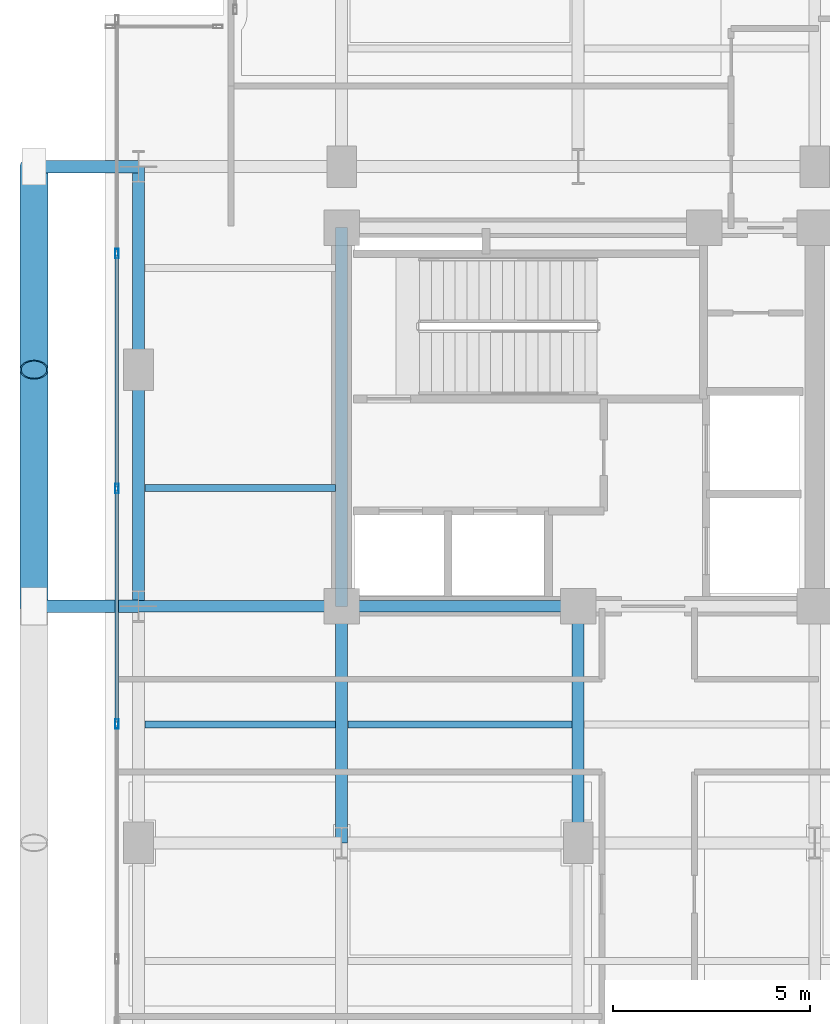
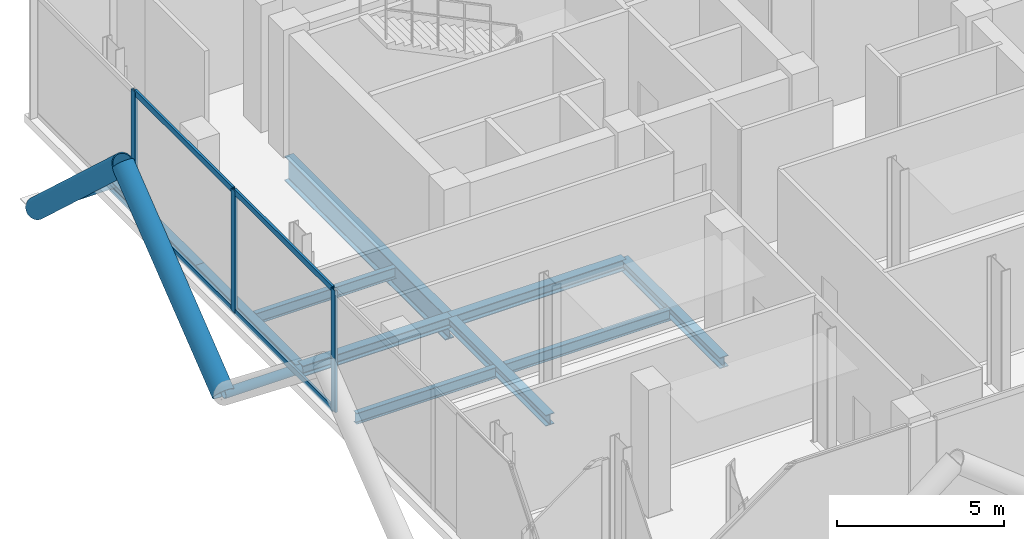
# One storey, part 5 of 19: 11 members, 10 beams, 1 element without a shape of its own.
"""IFC4 building model written with IfcOpenShell, lengths in metres."""

from ifc_helpers import new_model, si_unit, direction, frame, origin, origin_2d, place, context, subcontext, project, spatial, hollow_rectangle, hollow_circle, i_section, extrude, material, layer, layer_set, material_profile, profile_set, type_object, element, aggregate, save


model = new_model("IFC4")

# Units and contexts
model_context = context("Model", 3, precision=1e-05, world=origin(), true_north=direction((0.0, 1.0)))
body_context = subcontext(model_context, "Body", "Model", "MODEL_VIEW")
ifc_project = project(units=[si_unit("LENGTHUNIT", "METRE"), si_unit("AREAUNIT", "SQUARE_METRE"), si_unit("VOLUMEUNIT", "CUBIC_METRE"), si_unit("PLANEANGLEUNIT", "RADIAN"), si_unit("MASSUNIT", "GRAM", prefix="KILO"), si_unit("THERMODYNAMICTEMPERATUREUNIT", "KELVIN"), si_unit("POWERUNIT", "WATT")], contexts=[model_context])

# Site, building, storey
site_placement = place(None, origin())
site = spatial("IfcSite", under=ifc_project, at=site_placement, CompositionType="ELEMENT")
building_placement = place(site_placement, origin())
building = spatial("IfcBuilding", under=site, at=building_placement, Name="Svarakhadi Broadcast Tower", CompositionType="ELEMENT")
storey_placement = place(building_placement, frame((0.0, 0.0, 204.0)))
storey = spatial("IfcBuildingStorey", under=building, at=storey_placement, Name="L50", CompositionType="ELEMENT", Elevation=204.0)

# Beams
ifc_material_1 = material(Name="Steel S355J2 (IS 2062 E350C)", Category="steel")
ifc_material_profile_1 = material_profile(ifc_material_1, i_section(OverallWidth=0.179931640625, OverallDepth=0.39990234375, WebThickness=0.008544921875, FlangeThickness=0.013427734375, FilletRadius=0.02099609375, at=origin_2d()), Name="NPB 400x180x66")
ifc_profile_set_1 = profile_set([ifc_material_profile_1], Name="Steel S355J2 (IS 2062 E350C)")
beam_type_1 = type_object("IfcBeamType", Name="Beam_NPB400", PredefinedType="BEAM", material=ifc_profile_set_1)
for number, where, z_axis, x_axis, name in (
    (1, (1.010009765625, 15.0, -0.5), (1.0, 0.0, 0.0), (0.0, 1.0, 0.0), "L50 Secondary Composite Beam SB002"),
    (2, (1.010009765625, 21.0, -0.5), (1.0, 0.0, 0.0), (0.0, 1.0, 0.0), "L50 Secondary Composite Beam SB003"),
):
    element("IfcBeam", number, at=place(storey_placement, frame(where, z_axis=z_axis, x_axis=x_axis)), inside=storey, type_object=beam_type_1, Name=name, PredefinedType="BEAM", context=body_context, shape_type="SweptSolid", body=[
        extrude(i_section(OverallWidth=0.179931640625, OverallDepth=0.39990234375, WebThickness=0.008544921875, FlangeThickness=0.013427734375, FilletRadius=0.02099609375, at=origin_2d()), origin(), (0.0, 0.0, 1.0), 4.830078125),
    ])
beam_1_placement = place(storey_placement, frame((6.159912109375, 15.0, -0.5), z_axis=(1.0, 0.0, 0.0), x_axis=(0.0, 1.0, 0.0)))
element("IfcBeam", 3, at=beam_1_placement, inside=storey, type_object=beam_type_1, Name="L50 Secondary Composite Beam SB007", PredefinedType="BEAM", context=body_context, shape_type="SweptSolid", body=[
    extrude(i_section(OverallWidth=0.179931640625, OverallDepth=0.39990234375, WebThickness=0.008544921875, FlangeThickness=0.013427734375, FilletRadius=0.02099609375, at=origin_2d()), origin(), (0.0, 0.0, 1.0), 5.68017578125),
])

# Curtain wall, members
ifc_material_2 = material(Name="Anodised Bronze Aluminium AA 6063-T6", Category="aluminium")
ifc_layer = layer(ifc_material_2, 0.239990234375)
ifc_layer_set = layer_set([ifc_layer], Name="Anodised Bronze Aluminium AA 6063-T6")
curtain_wall_type = type_object("IfcCurtainWallType", Name="CW_Sys_06", PredefinedType="NOTDEFINED", material=ifc_layer_set)
curtain_wall_placement = place(storey_placement, origin())
curtain_wall = element("IfcCurtainWall", 4, at=curtain_wall_placement, inside=storey, type_object=curtain_wall_type, Name="L50 Unitised Facade Curtain Wall 02", PredefinedType="NOTDEFINED")
ifc_material_profile_2 = material_profile(ifc_material_2, hollow_rectangle(XDim=0.090087890625, YDim=0.239990234375, WallThickness=0.006103515625, at=origin_2d()), Name="ALU MULLION 240x90x6")
ifc_profile_set_2 = profile_set([ifc_material_profile_2], Name="Anodised Bronze Aluminium AA 6063-T6")
member_type_1 = type_object("IfcMemberType", Name="CW_Sys_06_Mul", PredefinedType="MULLION", material=ifc_profile_set_2)
member_1_placement = place(storey_placement, frame((0.300048828125, 15.01806640625, 0.0), z_axis=(0.0, 0.0, 1.0), x_axis=(-1.0, 0.0, 0.0)))
member_1 = element("IfcMember", 5, at=member_1_placement, type_object=member_type_1, Name="CW-06 mullion 3", PredefinedType="MULLION", context=body_context, shape_type="SweptSolid", body=[
    extrude(hollow_rectangle(XDim=0.090087890625, YDim=0.239990234375, WallThickness=0.006103515625, at=origin_2d()), origin(), (0.0, 0.0, 1.0), 4.43994140625),
])
member_2_placement = place(storey_placement, frame((0.300048828125, 20.98193359375, 0.0), z_axis=(0.0, 0.0, 1.0), x_axis=(-1.0, 0.0, 0.0)))
member_2 = element("IfcMember", 6, at=member_2_placement, type_object=member_type_1, Name="CW-06 mullion 4", PredefinedType="MULLION", context=body_context, shape_type="SweptSolid", body=[
    extrude(hollow_rectangle(XDim=0.090087890625, YDim=0.239990234375, WallThickness=0.006103515625, at=origin_2d()), origin(), (0.0, 0.0, 1.0), 4.43994140625),
])
member_3_placement = place(storey_placement, frame((0.300048828125, 26.946044921875, 0.0), z_axis=(0.0, 0.0, 1.0), x_axis=(-1.0, 0.0, 0.0)))
member_3 = element("IfcMember", 7, at=member_3_placement, type_object=member_type_1, Name="CW-06 mullion 5", PredefinedType="MULLION", context=body_context, shape_type="SweptSolid", body=[
    extrude(hollow_rectangle(XDim=0.090087890625, YDim=0.239990234375, WallThickness=0.006103515625, at=origin_2d()), origin(), (0.0, 0.0, 1.0), 4.43994140625),
])
ifc_material_profile_3 = material_profile(ifc_material_2, hollow_rectangle(XDim=0.080078125, YDim=0.2099609375, WallThickness=0.0048828125, at=origin_2d()), Name="ALU TRANSOM 210x80x5")
ifc_profile_set_3 = profile_set([ifc_material_profile_3], Name="Anodised Bronze Aluminium AA 6063-T6")
member_type_2 = type_object("IfcMemberType", Name="CW_Sys_06_Trn", PredefinedType="USERDEFINED", material=ifc_profile_set_3)
member_4_placement = place(storey_placement, frame((0.300048828125, 15.06298828125, 0.0400390625), z_axis=(0.0, 1.0, 0.0), x_axis=(-1.0, 0.0, 0.0)))
member_4 = element("IfcMember", 8, at=member_4_placement, type_object=member_type_2, Name="CW-06 transom 3.1", ObjectType="TRANSOM", PredefinedType="USERDEFINED", context=body_context, shape_type="SweptSolid", body=[
    extrude(hollow_rectangle(XDim=0.080078125, YDim=0.2099609375, WallThickness=0.0048828125, at=origin_2d()), origin(), (0.0, 0.0, 1.0), 5.8740234375),
])
member_5_placement = place(storey_placement, frame((0.300048828125, 15.06298828125, 4.39990234375), z_axis=(0.0, 1.0, 0.0), x_axis=(-1.0, 0.0, 0.0)))
member_5 = element("IfcMember", 9, at=member_5_placement, type_object=member_type_2, Name="CW-06 transom 3.2", ObjectType="TRANSOM", PredefinedType="USERDEFINED", context=body_context, shape_type="SweptSolid", body=[
    extrude(hollow_rectangle(XDim=0.080078125, YDim=0.2099609375, WallThickness=0.0048828125, at=origin_2d()), origin(), (0.0, 0.0, 1.0), 5.8740234375),
])
member_6_placement = place(storey_placement, frame((0.300048828125, 21.027099609375, 0.0400390625), z_axis=(0.0, 1.0, 0.0), x_axis=(-1.0, 0.0, 0.0)))
member_6 = element("IfcMember", 10, at=member_6_placement, type_object=member_type_2, Name="CW-06 transom 4.1", ObjectType="TRANSOM", PredefinedType="USERDEFINED", context=body_context, shape_type="SweptSolid", body=[
    extrude(hollow_rectangle(XDim=0.080078125, YDim=0.2099609375, WallThickness=0.0048828125, at=origin_2d()), origin(), (0.0, 0.0, 1.0), 5.873779296875),
])
member_7_placement = place(storey_placement, frame((0.300048828125, 21.027099609375, 4.39990234375), z_axis=(0.0, 1.0, 0.0), x_axis=(-1.0, 0.0, 0.0)))
member_7 = element("IfcMember", 11, at=member_7_placement, type_object=member_type_2, Name="CW-06 transom 4.2", ObjectType="TRANSOM", PredefinedType="USERDEFINED", context=body_context, shape_type="SweptSolid", body=[
    extrude(hollow_rectangle(XDim=0.080078125, YDim=0.2099609375, WallThickness=0.0048828125, at=origin_2d()), origin(), (0.0, 0.0, 1.0), 5.873779296875),
])
aggregate(curtain_wall, [member_1, member_2, member_3, member_4, member_5, member_6, member_7])

# Members
ifc_material_3 = material(Name="Steel S460ML (IS 2062 E450BR)", Category="steel")
ifc_material_profile_4 = material_profile(ifc_material_3, hollow_circle(Radius=0.35546875, WallThickness=0.034912109375, at=origin_2d()), Name="CHS 711x35")
ifc_profile_set_4 = profile_set([ifc_material_profile_4], Name="Steel S460ML (IS 2062 E450BR)")
member_type_3 = type_object("IfcMemberType", Name="Exo_Brace_CHS711", PredefinedType="BRACE", material=ifc_profile_set_4)
member_8_placement = place(storey_placement, frame((-1.800048828125, 18.0, -0.4619140625), z_axis=(0.0, 0.784682488402, 0.619897888685), x_axis=(-1.0, 0.0, 0.0)))
element("IfcMember", 12, at=member_8_placement, inside=storey, type_object=member_type_3, Name="L50 Exposed Bronze Exoskeleton Diagonal W08", PredefinedType="BRACE", context=body_context, shape_type="SweptSolid", body=[
    extrude(hollow_circle(Radius=0.35546875, WallThickness=0.034912109375, at=origin_2d()), origin(), (0.0, 0.0, 1.0), 7.646484375),
])
member_9_placement = place(storey_placement, frame((-1.800048828125, 29.14990234375, -0.4619140625), z_axis=(0.0, -0.73578291553, 0.677217469661), x_axis=(1.0, 0.0, 0.0)))
element("IfcMember", 13, at=member_9_placement, inside=storey, type_object=member_type_3, Name="L50 Exposed Bronze Exoskeleton Diagonal W09", PredefinedType="BRACE", context=body_context, shape_type="SweptSolid", body=[
    extrude(hollow_circle(Radius=0.35546875, WallThickness=0.034912109375, at=origin_2d()), origin(), (0.0, 0.0, 1.0), 6.999267578125),
])
ifc_material_profile_5 = material_profile(ifc_material_3, hollow_circle(Radius=0.161865234375, WallThickness=0.01611328125, at=origin_2d()), Name="CHS 323.9x16")
ifc_profile_set_5 = profile_set([ifc_material_profile_5], Name="Steel S460ML (IS 2062 E450BR)")
member_type_4 = type_object("IfcMemberType", Name="Exo_Radial_Strut_Z2", PredefinedType="STRUT", material=ifc_profile_set_5)
for number, where, z_axis, x_axis, name in (
    (14, (-1.800048828125, 18.0, -0.4619140625), (1.0, 0.0, 0.0), (0.0, 1.0, 0.0), "L50 Exoskeleton Radial Tie Strut W05"),
    (15, (-1.800048828125, 29.14990234375, -0.4619140625), (1.0, 0.0, 0.0), (0.0, 1.0, 0.0), "L50 Exoskeleton Radial Tie Strut W06"),
):
    element("IfcMember", number, at=place(storey_placement, frame(where, z_axis=z_axis, x_axis=x_axis)), inside=storey, type_object=member_type_4, Name=name, PredefinedType="STRUT", context=body_context, shape_type="SweptSolid", body=[
        extrude(hollow_circle(Radius=0.161865234375, WallThickness=0.01611328125, at=origin_2d()), origin(), (0.0, 0.0, 1.0), 2.650146484375),
    ])

# Beams
ifc_material_profile_6 = material_profile(ifc_material_1, i_section(OverallWidth=0.300048828125, OverallDepth=0.39990234375, WebThickness=0.013427734375, FlangeThickness=0.02392578125, FilletRadius=0.027099609375, at=origin_2d()), Name="WPB 400x300x155")
ifc_profile_set_6 = profile_set([ifc_material_profile_6], Name="Steel S355J2 (IS 2062 E350C)")
beam_type_2 = type_object("IfcBeamType", Name="Girder_WPB400", PredefinedType="USERDEFINED", material=ifc_profile_set_6)
beam_2_placement = place(storey_placement, frame((0.85009765625, 18.0, -0.5), z_axis=(1.0, 0.0, 0.0), x_axis=(0.0, 1.0, 0.0)))
element("IfcBeam", 16, at=beam_2_placement, inside=storey, type_object=beam_type_2, Name="L50 Primary E-W Girder G020", ObjectType="GIRDER", PredefinedType="USERDEFINED", context=body_context, shape_type="SweptSolid", body=[
    extrude(i_section(OverallWidth=0.300048828125, OverallDepth=0.39990234375, WebThickness=0.013427734375, FlangeThickness=0.02392578125, FilletRadius=0.027099609375, at=origin_2d()), origin(), (0.0, 0.0, 1.0), 5.14990234375),
])
for number, where, z_axis, x_axis, name in (
    (17, (6.0, 18.0, -0.5), (1.0, 0.0, 0.0), (0.0, 1.0, 0.0), "L50 Primary E-W Girder G021"),
    (18, (0.85009765625, 18.0, -0.5), (0.0, 1.0, 0.0), (-1.0, 0.0, 0.0), "L50 Primary N-S Girder G035"),
):
    element("IfcBeam", number, at=place(storey_placement, frame(where, z_axis=z_axis, x_axis=x_axis)), inside=storey, type_object=beam_type_2, Name=name, ObjectType="GIRDER", PredefinedType="USERDEFINED", context=body_context, shape_type="SweptSolid", body=[
        extrude(i_section(OverallWidth=0.300048828125, OverallDepth=0.39990234375, WebThickness=0.013427734375, FlangeThickness=0.02392578125, FilletRadius=0.027099609375, at=origin_2d()), origin(), (0.0, 0.0, 1.0), 6.0),
    ])
beam_3_placement = place(storey_placement, frame((0.85009765625, 24.0, -0.5), z_axis=(0.0, 1.0, 0.0), x_axis=(-1.0, 0.0, 0.0)))
element("IfcBeam", 19, at=beam_3_placement, inside=storey, type_object=beam_type_2, Name="L50 Primary N-S Girder G036", ObjectType="GIRDER", PredefinedType="USERDEFINED", context=body_context, shape_type="SweptSolid", body=[
    extrude(i_section(OverallWidth=0.300048828125, OverallDepth=0.39990234375, WebThickness=0.013427734375, FlangeThickness=0.02392578125, FilletRadius=0.027099609375, at=origin_2d()), origin(), (0.0, 0.0, 1.0), 5.14990234375),
])
for number, where, z_axis, x_axis, name in (
    (20, (6.0, 12.0, -0.5), (0.0, 1.0, 0.0), (-1.0, 0.0, 0.0), "L50 Primary N-S Girder G039"),
    (21, (12.0, 12.0, -0.5), (0.0, 1.0, 0.0), (-1.0, 0.0, 0.0), "L50 Primary N-S Girder G044"),
):
    element("IfcBeam", number, at=place(storey_placement, frame(where, z_axis=z_axis, x_axis=x_axis)), inside=storey, type_object=beam_type_2, Name=name, ObjectType="GIRDER", PredefinedType="USERDEFINED", context=body_context, shape_type="SweptSolid", body=[
        extrude(i_section(OverallWidth=0.300048828125, OverallDepth=0.39990234375, WebThickness=0.013427734375, FlangeThickness=0.02392578125, FilletRadius=0.027099609375, at=origin_2d()), origin(), (0.0, 0.0, 1.0), 6.0),
    ])
ifc_material_profile_7 = material_profile(ifc_material_3, i_section(OverallWidth=0.300048828125, OverallDepth=0.89990234375, WebThickness=0.0185546875, FlangeThickness=0.034912109375, FilletRadius=0.030029296875, at=origin_2d()), Name="WPB 900x300x291")
ifc_profile_set_7 = profile_set([ifc_material_profile_7], Name="Steel S460ML (IS 2062 E450BR)")
beam_type_3 = type_object("IfcBeamType", Name="Girder_WPB900", PredefinedType="USERDEFINED", material=ifc_profile_set_7)
beam_4_placement = place(storey_placement, frame((6.0, 18.0, -0.75), z_axis=(0.0, 1.0, 0.0), x_axis=(-1.0, 0.0, 0.0)))
element("IfcBeam", 22, at=beam_4_placement, inside=storey, type_object=beam_type_3, Name="L50 Primary N-S Girder G040", ObjectType="GIRDER", PredefinedType="USERDEFINED", context=body_context, shape_type="SweptSolid", body=[
    extrude(i_section(OverallWidth=0.300048828125, OverallDepth=0.89990234375, WebThickness=0.0185546875, FlangeThickness=0.034912109375, FilletRadius=0.030029296875, at=origin_2d()), origin(), (0.0, 0.0, 1.0), 9.60009765625),
])

save(model, "model.ifc")
